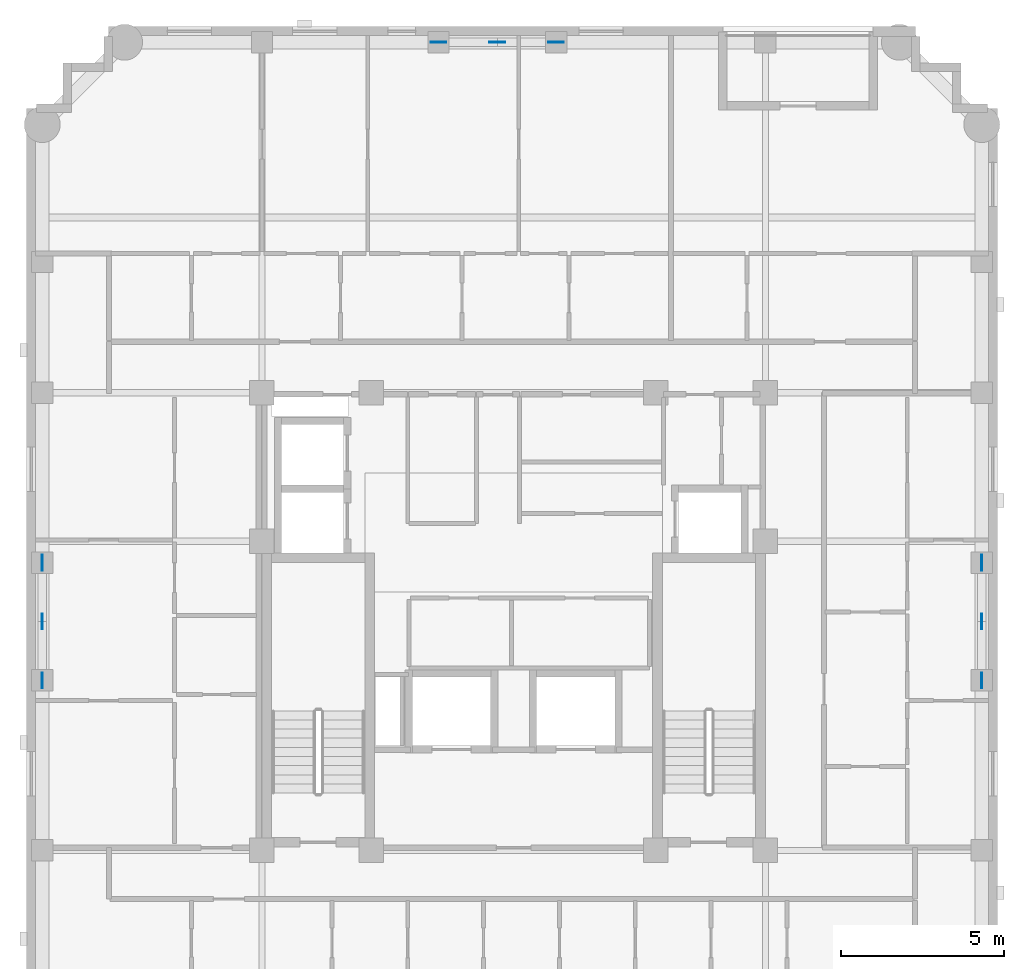
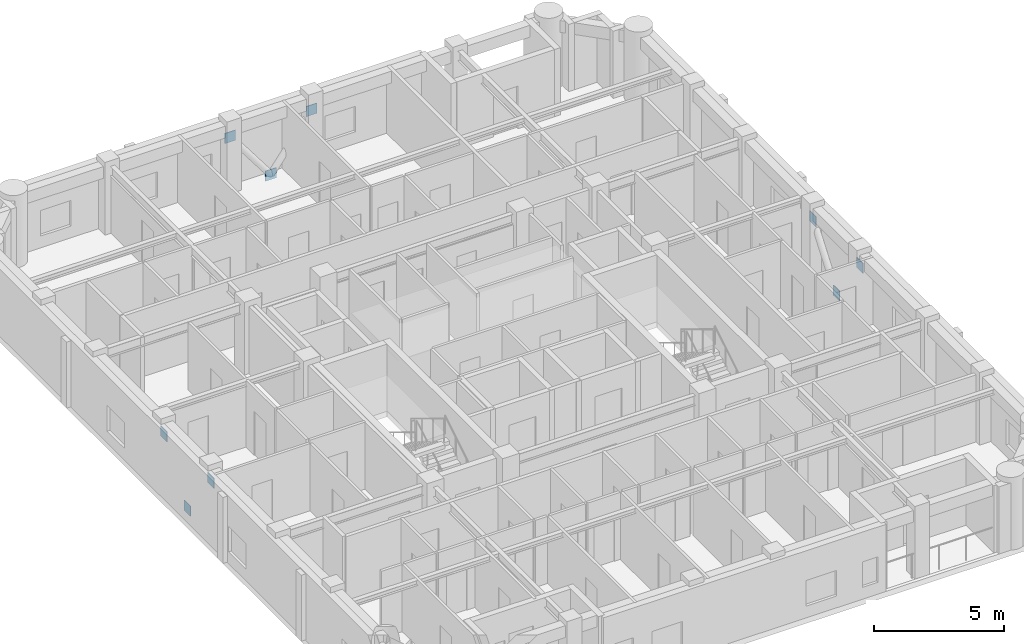
# One storey, part 9 of 11: 9 discrete accessories.
"""IFC4 building model written with IfcOpenShell, lengths in metres."""

import ifcopenshell
import ifcopenshell.guid

model = None  # the IFC model being written
_history = None  # IfcOwnerHistory: only IFC2X3 demands one
_inside = {}  # id of a spatial element -> (the spatial element, [elements in it])
_under = {}  # id of a project, library or spatial element -> (it, [spatial elements below it])
_declared = {}  # id of a project -> (the project, [libraries it declares])
_typed = {}  # id of a type object -> (the type object, [elements of that type])
_made_of = {}  # id of a material, layer set ... -> (it, [elements and type objects made of it])


def new_model(schema):
    """Start an empty IFC model of exactly this schema.

    Asked for "IFC4X3", IfcOpenShell would pick the latest addendum, in which some entities
    have other attributes; the version numbers below select the first issue.
    IFC2X3 requires an IfcOwnerHistory on every rooted entity: one is made here for all.
    """
    global model, _history
    if schema == "IFC4X3":
        model = ifcopenshell.file(schema_version=(4, 3, 0, 0))
    else:
        model = ifcopenshell.file(schema=schema)
    _inside.clear()
    _under.clear()
    _declared.clear()
    _typed.clear()
    _made_of.clear()
    _history = None
    if model.schema == "IFC2X3":
        org = make("IfcOrganization", Name="unknown")
        user = make(
            "IfcPersonAndOrganization",
            ThePerson=make("IfcPerson", FamilyName="unknown"),
            TheOrganization=org,
        )
        app = make(
            "IfcApplication",
            ApplicationDeveloper=org,
            Version="unknown",
            ApplicationFullName="unknown",
            ApplicationIdentifier="unknown",
        )
        _history = make(
            "IfcOwnerHistory",
            OwningUser=user,
            OwningApplication=app,
            ChangeAction="ADDED",
            CreationDate=0,
        )
    return model


def make(cls, **values):
    """One entity of the class cls with the attributes given. An attribute that is None is left unset."""
    return model.create_entity(
        cls, **{name: value for name, value in values.items() if value is not None}
    )


def rooted(cls, **values):
    """An entity with a GlobalId (a new one), such as an element, a storey or a relation."""
    return make(cls, GlobalId=ifcopenshell.guid.new(), OwnerHistory=_history, **values)


def si_unit(unit_type, name, prefix=None):
    """IfcSIUnit, for example si_unit("LENGTHUNIT", "METRE", prefix="MILLI")."""
    return make("IfcSIUnit", UnitType=unit_type, Prefix=prefix, Name=name)


def derived_unit(unit_type, elements):
    """IfcDerivedUnit: a product of units, each with its exponent."""
    return make(
        "IfcDerivedUnit",
        Elements=[
            make("IfcDerivedUnitElement", Unit=unit, Exponent=power)
            for unit, power in elements
        ],
        UnitType=unit_type,
    )


def assignment(units):
    """IfcUnitAssignment: the units of a project."""
    return None if units is None else make("IfcUnitAssignment", Units=units)


def point(xyz):
    """IfcCartesianPoint."""
    return None if xyz is None else make("IfcCartesianPoint", Coordinates=xyz)


def direction(xyz):
    """IfcDirection."""
    return None if xyz is None else make("IfcDirection", DirectionRatios=xyz)


def frame(location, z_axis=None, x_axis=None):
    """IfcAxis2Placement3D, a coordinate frame: its origin and axes. An axis left out is left unset."""
    return make(
        "IfcAxis2Placement3D",
        Location=point(location),
        Axis=direction(z_axis),
        RefDirection=direction(x_axis),
    )


def frame_2d(location, x_axis=None):
    """IfcAxis2Placement2D, a coordinate frame in the plane: its origin and x axis."""
    return make(
        "IfcAxis2Placement2D", Location=point(location), RefDirection=direction(x_axis)
    )


def origin():
    """The frame at (0, 0, 0) with its axes left unset."""
    return frame((0.0, 0.0, 0.0))


def origin_2d():
    """The frame at (0, 0) in the plane with its x axis left unset."""
    return frame_2d((0.0, 0.0))


def place(relative_to, where):
    """IfcLocalPlacement: puts the frame where relative to a parent placement (None: the world)."""
    return make(
        "IfcLocalPlacement", PlacementRelTo=relative_to, RelativePlacement=where
    )


def context(
    kind, dimensions, precision=None, world=None, true_north=None, identifier=None
):
    """IfcGeometricRepresentationContext, for example the 3D "Model" context."""
    return make(
        "IfcGeometricRepresentationContext",
        ContextIdentifier=identifier,
        ContextType=kind,
        CoordinateSpaceDimension=dimensions,
        Precision=precision,
        WorldCoordinateSystem=world,
        TrueNorth=true_north,
    )


def subcontext(parent, identifier, kind, view, scale=None):
    """IfcGeometricRepresentationSubContext, for example "Body" below "Model"."""
    return make(
        "IfcGeometricRepresentationSubContext",
        ContextIdentifier=identifier,
        ContextType=kind,
        ParentContext=parent,
        TargetScale=scale,
        TargetView=view,
    )


def project(units=None, contexts=None):
    """IfcProject with its units and contexts."""
    return rooted(
        "IfcProject",
        Name="project",
        RepresentationContexts=contexts,
        UnitsInContext=assignment(units),
    )


def spatial(cls, under=None, at=None, **own):
    """A site, building, storey or space (cls), placed at a placement, below another one or the project."""
    s = rooted(cls, ObjectPlacement=at, **own)
    if under is not None:
        _under.setdefault(under.id(), (under, []))[1].append(s)
    return s


def profile(cls, at=None, kind="AREA", **sizes):
    """A parametric profile (cls). Its sizes go by their IFC names, for example OverallWidth=200.0."""
    return make(cls, ProfileType=kind, Position=at, **sizes)


def rectangle(**sizes):
    """IfcRectangleProfileDef."""
    return profile("IfcRectangleProfileDef", **sizes)


def extrude(swept, where, along, depth):
    """IfcExtrudedAreaSolid: the profile swept, set in the frame where, extruded along a direction by depth."""
    return make(
        "IfcExtrudedAreaSolid",
        SweptArea=swept,
        Position=where,
        ExtrudedDirection=direction(along),
        Depth=depth,
    )


def shape(context_of_items, identifier, shape_type, items):
    """IfcShapeRepresentation: the items that make up one representation, for example the "Body"."""
    return make(
        "IfcShapeRepresentation",
        ContextOfItems=context_of_items,
        RepresentationIdentifier=identifier,
        RepresentationType=shape_type,
        Items=items,
    )


def material(Name=None, Category=None):
    """IfcMaterial."""
    return make("IfcMaterial", Name=Name, Category=Category)


def layer(
    of_material, thickness, ventilated=None, Name=None, Category=None, Priority=None
):
    """IfcMaterialLayer: one layer of a wall or slab, of a material (None: an air gap)."""
    return make(
        "IfcMaterialLayer",
        Material=of_material,
        LayerThickness=thickness,
        IsVentilated=ventilated,
        Name=Name,
        Category=Category,
        Priority=Priority,
    )


def layer_set(layers, Name=None):
    """IfcMaterialLayerSet."""
    return make("IfcMaterialLayerSet", MaterialLayers=layers, LayerSetName=Name)


def made_of(thing, what):
    """Note that an element or type object is made of a material, layer set ...; save() writes the relation."""
    if what is not None:
        _made_of.setdefault(what.id(), (what, []))[1].append(thing)
    return thing


def type_object(cls, material=None, **own):
    """A type object (cls), such as IfcWallType, which elements share."""
    return made_of(rooted(cls, **own), material)


def element(
    cls,
    number,
    at=None,
    inside=None,
    cuts=None,
    type_object=None,
    material=None,
    context=None,
    identifier="Body",
    shape_type=None,
    held_by="IfcProductDefinitionShape",
    body=None,
    shapes=None,
    **own,
):
    """One element of the class cls, such as IfcWall. Its Tag is "e" and its number.

    at: its placement. inside: the storey or other place that contains it. cuts: it is an
    opening in that element (IfcRelVoidsElement). A single representation is given by context,
    identifier, shape_type and body (its items); several are given by shapes. held_by: the class
    of the entity that holds the representations. save() writes the other relations.
    """
    e = rooted(cls, Tag="e%d" % number, ObjectPlacement=at, **own)
    if body is not None:
        shapes = [shape(context, identifier, shape_type, body)]
    if shapes is not None:
        e.Representation = make(held_by, Representations=shapes)
    if inside is not None:
        _inside.setdefault(inside.id(), (inside, []))[1].append(e)
    if cuts is not None:
        rooted(
            "IfcRelVoidsElement", RelatingBuildingElement=cuts, RelatedOpeningElement=e
        )
    if type_object is not None:
        _typed.setdefault(type_object.id(), (type_object, []))[1].append(e)
    return made_of(e, material)


def aggregate(whole, parts):
    """IfcRelAggregates: a whole, such as a stair, and the parts it consists of."""
    return rooted("IfcRelAggregates", RelatingObject=whole, RelatedObjects=parts)


def save(model, path):
    """Write the relations noted so far, then the file.

    IfcRelAggregates (storeys below a building ...), IfcRelContainedInSpatialStructure (elements
    in a storey), IfcRelDefinesByType, IfcRelAssociatesMaterial and IfcRelDeclares: one each for
    every whole, place, type object, material and project.
    """
    for whole, parts in _under.values():
        aggregate(whole, parts)
    for where, things in _inside.values():
        rooted(
            "IfcRelContainedInSpatialStructure",
            RelatedElements=things,
            RelatingStructure=where,
        )
    for kind, things in _typed.values():
        rooted("IfcRelDefinesByType", RelatedObjects=things, RelatingType=kind)
    for what, things in _made_of.values():
        rooted("IfcRelAssociatesMaterial", RelatedObjects=things, RelatingMaterial=what)
    for by, libraries in _declared.values():
        rooted("IfcRelDeclares", RelatingContext=by, RelatedDefinitions=libraries)
    model.write(path)


model = new_model("IFC4")

# Units and contexts
model_context = context("Model", 3, precision=1e-05, world=origin(), true_north=direction((0.0, 1.0)))
body_context = subcontext(model_context, "Body", "Model", "MODEL_VIEW")
ifc_project = project(units=[si_unit("LENGTHUNIT", "METRE"), si_unit("AREAUNIT", "SQUARE_METRE"), si_unit("VOLUMEUNIT", "CUBIC_METRE"), si_unit("PLANEANGLEUNIT", "RADIAN"), si_unit("MASSUNIT", "GRAM", prefix="KILO"), derived_unit("THERMALTRANSMITTANCEUNIT", [(si_unit("MASSUNIT", "GRAM", prefix="KILO"), 1), (si_unit("TIMEUNIT", "SECOND"), -3), (si_unit("THERMODYNAMICTEMPERATUREUNIT", "KELVIN"), -1)])], contexts=[model_context])

# Site, building, storey
site_placement = place(None, origin())
site = spatial("IfcSite", under=ifc_project, at=site_placement, CompositionType="ELEMENT")
building_placement = place(site_placement, origin())
building = spatial("IfcBuilding", under=site, at=building_placement, Name="Korrvale Station Residences", CompositionType="ELEMENT")
storey_placement = place(building_placement, frame((0.0, 0.0, 230.89990234375)))
storey = spatial("IfcBuildingStorey", under=building, at=storey_placement, Name="L67", CompositionType="ELEMENT", Elevation=230.89990234375)

# Discrete accessories
ifc_material = material(Name="Steel S355", Category="steel")
ifc_layer = layer(ifc_material, 0.02490234375, Name="Steel S355")
ifc_layer_set = layer_set([ifc_layer], Name="Steel S355")
discrete_accessory_type = type_object("IfcDiscreteAccessoryType", Name="ACC-GUSSET-25", PredefinedType="BRACKET", material=ifc_layer_set)
for number, where, z_axis, x_axis, name in (
    (1, (25.0, 39.719970703125, -0.219970703125), (0.0, 0.0, 1.0), (1.0, 0.0, 0.0), "L67 N Brace End Gusset Connection M"),
    (2, (23.199951171875, 39.719970703125, 2.170166015625), (0.0, 0.0, 1.0), (1.0, 0.0, 0.0), "L67 N Brace End Gusset Connection A"),
    (3, (26.800048828125, 39.719970703125, 2.170166015625), (0.0, 0.0, 1.0), (1.0, 0.0, 0.0), "L67 N Brace End Gusset Connection B"),
    (4, (11.080078125, 22.0, -0.219970703125), (0.0, 0.0, 1.0), (0.0, 1.0, 0.0), "L67 W Brace End Gusset Connection M"),
    (5, (11.080078125, 20.199951171875, 2.170166015625), (0.0, 0.0, 1.0), (0.0, 1.0, 0.0), "L67 W Brace End Gusset Connection A"),
    (6, (11.080078125, 23.800048828125, 2.170166015625), (0.0, 0.0, 1.0), (0.0, 1.0, 0.0), "L67 W Brace End Gusset Connection B"),
    (7, (39.820068359375, 22.0, -0.219970703125), (0.0, 0.0, 1.0), (0.0, 1.0, 0.0), "L67 E Brace End Gusset Connection M"),
    (8, (39.820068359375, 20.199951171875, 2.170166015625), (0.0, 0.0, 1.0), (0.0, 1.0, 0.0), "L67 E Brace End Gusset Connection A"),
    (9, (39.820068359375, 23.800048828125, 2.170166015625), (0.0, 0.0, 1.0), (0.0, 1.0, 0.0), "L67 E Brace End Gusset Connection B"),
):
    element("IfcDiscreteAccessory", number, at=place(storey_placement, frame(where, z_axis=z_axis, x_axis=x_axis)), inside=storey, type_object=discrete_accessory_type, Name=name, PredefinedType="BRACKET", context=body_context, shape_type="SweptSolid", body=[
        extrude(rectangle(XDim=0.47998046875, YDim=0.02490234375, at=origin_2d()), origin(), (0.0, 0.0, 1.0), 0.47998046875),
    ])

save(model, "model.ifc")
